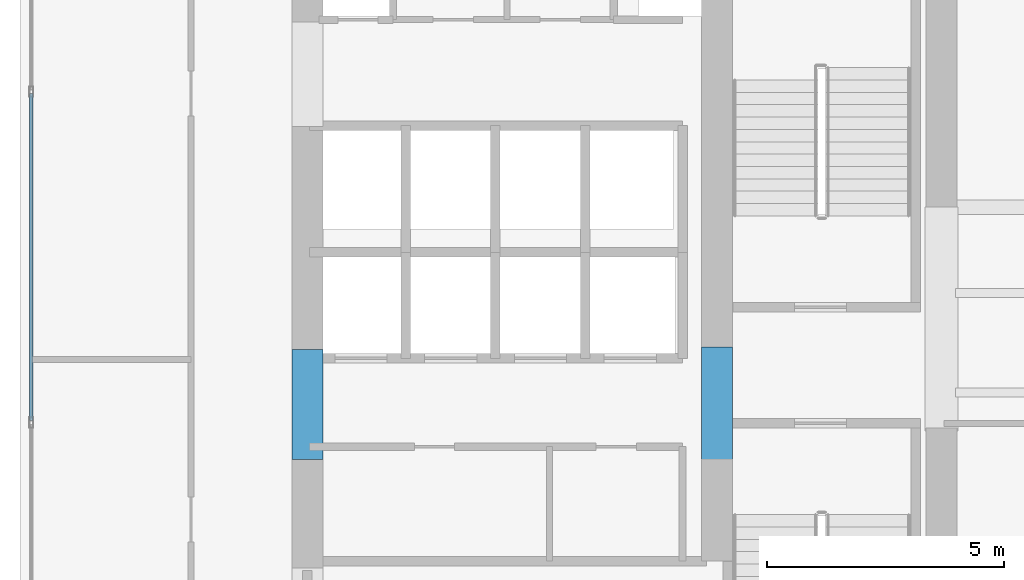
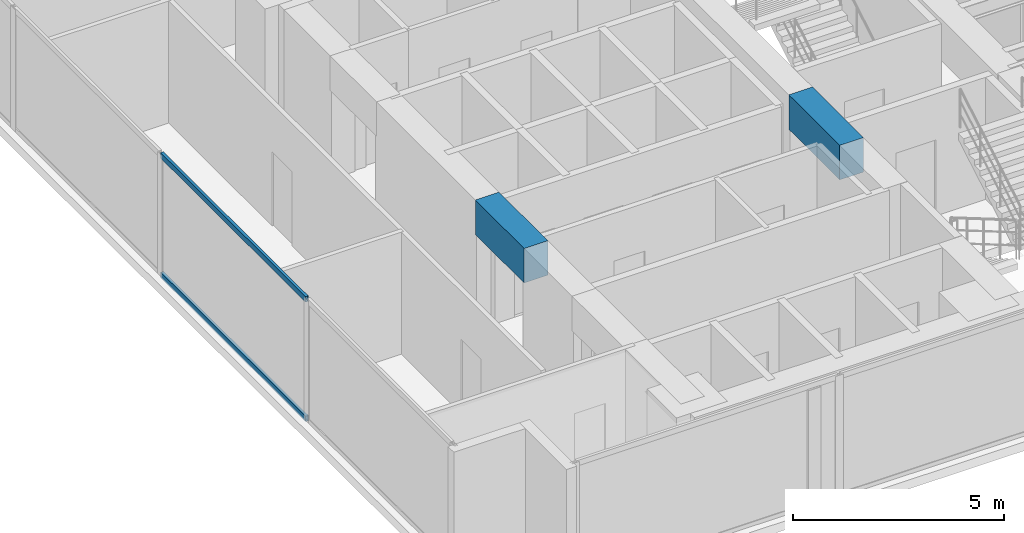
# One storey, part 3 of 28: 2 beams, 2 members, 1 element without a shape of its own.
"""IFC4 building model written with IfcOpenShell, lengths in metres."""

from ifc_helpers import new_model, si_unit, direction, frame, origin, origin_with_axes, origin_2d, place, context, subcontext, project, spatial, rectangle, hollow_rectangle, extrude, source, transform, mapped, material, layer, layer_set, material_profile, profile_set, type_object, element, aggregate, save


model = new_model("IFC4")

# Units and contexts
model_context = context("Model", 3, precision=1e-05, world=origin(), true_north=direction((0.0, 1.0)))
body_context = subcontext(model_context, "Body", "Model", "MODEL_VIEW")
ifc_project = project(units=[si_unit("LENGTHUNIT", "METRE"), si_unit("AREAUNIT", "SQUARE_METRE"), si_unit("VOLUMEUNIT", "CUBIC_METRE"), si_unit("PLANEANGLEUNIT", "RADIAN"), si_unit("MASSUNIT", "GRAM", prefix="KILO")], contexts=[model_context])

# Site, building, storey
site_placement = place(None, origin())
site = spatial("IfcSite", under=ifc_project, at=site_placement, CompositionType="ELEMENT")
building_placement = place(site_placement, origin())
building = spatial("IfcBuilding", under=site, at=building_placement, Name="Kolvaren Waterfront Exchange", CompositionType="ELEMENT")
storey_placement = place(building_placement, frame((0.0, 0.0, 133.5)))
storey = spatial("IfcBuildingStorey", under=building, at=storey_placement, Name="L34", CompositionType="ELEMENT", Elevation=133.5)

# Beams
ifc_material_1 = material(Name="Concrete C60/75", Category="concrete")
ifc_material_profile_1 = material_profile(ifc_material_1, rectangle(XDim=0.64990234375, YDim=1.0, at=origin_2d()), Name="RC-CB-1000x650")
ifc_profile_set_1 = profile_set([ifc_material_profile_1], Name="Concrete C60/75")
beam_type = type_object("IfcBeamType", Name="STR-CB-1000", PredefinedType="SPANDREL", material=ifc_profile_set_1)
beam_1_placement = place(storey_placement, frame((7.449951171875, 12.090087890625, 3.0400390625), z_axis=(0.0, 1.0, 0.0), x_axis=(-1.0, 0.0, 0.0)))
element("IfcBeam", 1, at=beam_1_placement, inside=storey, type_object=beam_type, Name="L34 core coupling beam 4", PredefinedType="SPANDREL", context=body_context, shape_type="SweptSolid", body=[
    extrude(rectangle(XDim=0.64990234375, YDim=1.0, at=origin_2d()), origin(), (0.0, 0.0, 1.0), 2.31982421875),
])
beam_2_placement = place(storey_placement, frame((16.074951171875, 12.0400390625, 3.0400390625), z_axis=(0.0, 1.0, 0.0), x_axis=(-1.0, 0.0, 0.0)))
element("IfcBeam", 2, at=beam_2_placement, inside=storey, type_object=beam_type, Name="L34 core coupling beam 6", PredefinedType="SPANDREL", context=body_context, shape_type="SweptSolid", body=[
    extrude(rectangle(XDim=0.64990234375, YDim=1.0, at=origin_2d()), origin(), (0.0, 0.0, 1.0), 2.419921875),
])

# Curtain wall, members
ifc_material_2 = material(Name="Anodised aluminium 6063-T6", Category="aluminium")
ifc_layer = layer(ifc_material_2, 0.219970703125, Name="Anodised aluminium 6063-T6")
ifc_layer_set = layer_set([ifc_layer], Name="Anodised aluminium 6063-T6")
curtain_wall_type = type_object("IfcCurtainWallType", Name="ARC-CW-SYS2", PredefinedType="USERDEFINED", material=ifc_layer_set)
curtain_wall_placement = place(storey_placement, origin())
curtain_wall = element("IfcCurtainWall", 3, at=curtain_wall_placement, inside=storey, type_object=curtain_wall_type, Name="L34 stick curtain wall CW2 (CW-L34-W)", ObjectType="STICK CURTAIN WALL", PredefinedType="USERDEFINED")
ifc_material_profile_2 = material_profile(ifc_material_2, hollow_rectangle(XDim=0.074951171875, YDim=0.159912109375, WallThickness=0.00439453125, at=origin_2d()), Name="ALU-TRN-160x75x4.5")
ifc_profile_set_2 = profile_set([ifc_material_profile_2], Name="Anodised aluminium 6063-T6")
member_type = type_object("IfcMemberType", Name="ARC-CWT-160", PredefinedType="USERDEFINED", material=ifc_profile_set_2)
shared_shape = source(origin_with_axes(), body_context, "Body", "SweptSolid", [
    extrude(hollow_rectangle(XDim=0.074951171875, YDim=0.159912109375, WallThickness=0.00439453125, at=origin_2d()), origin(), (0.0, 0.0, 1.0), 6.886474609375),
])
member_1_placement = place(storey_placement, frame((1.639892578125, 12.90673828125, 0.03759765625), z_axis=(0.0, 1.0, 0.0), x_axis=(-1.0, 0.0, 0.0)))
member_1 = element("IfcMember", 4, at=member_1_placement, type_object=member_type, Name="CW2 transom 2.1", ObjectType="TRANSOM", PredefinedType="USERDEFINED", context=body_context, shape_type="MappedRepresentation", body=[
    mapped(shared_shape, transform((0.0, 0.0, 0.0), x_axis=(1.0, 0.0, 0.0), y_axis=(0.0, 1.0, 0.0), z_axis=(0.0, 0.0, 1.0), scale=1.0)),
])
member_2_placement = place(storey_placement, frame((1.639892578125, 12.90673828125, 3.50244140625), z_axis=(0.0, 1.0, 0.0), x_axis=(-1.0, 0.0, 0.0)))
member_2 = element("IfcMember", 5, at=member_2_placement, type_object=member_type, Name="CW2 transom 2.2", ObjectType="TRANSOM", PredefinedType="USERDEFINED", context=body_context, shape_type="MappedRepresentation", body=[
    mapped(shared_shape, transform((0.0, 0.0, 0.0), x_axis=(1.0, 0.0, 0.0), y_axis=(0.0, 1.0, 0.0), z_axis=(0.0, 0.0, 1.0), scale=1.0)),
])
aggregate(curtain_wall, [member_1, member_2])

save(model, "model.ifc")
